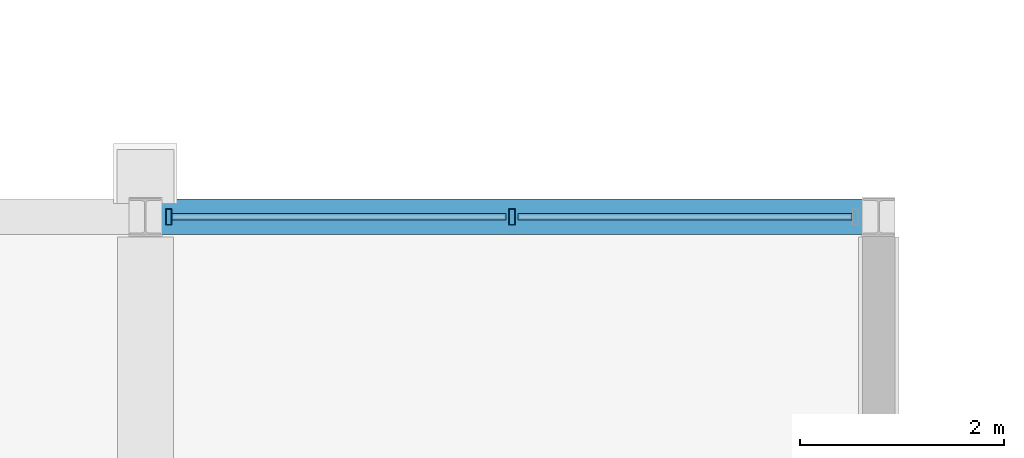
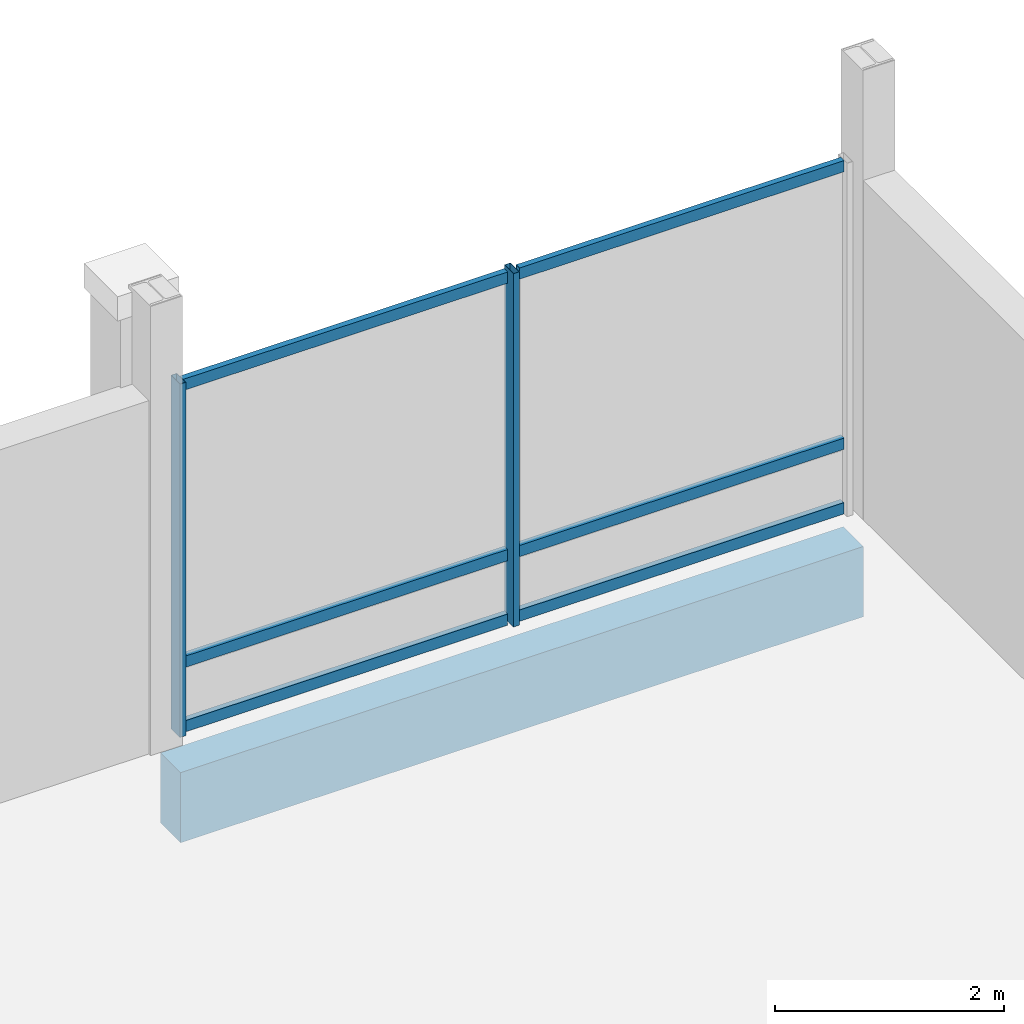
# One storey, part 37 of 193: 8 members, 1 beam, 1 element without a shape of its own.
"""IFC4 building model written with IfcOpenShell, lengths in metres."""

import ifcopenshell
import ifcopenshell.guid

model = None  # the IFC model being written
_history = None  # IfcOwnerHistory: only IFC2X3 demands one
_inside = {}  # id of a spatial element -> (the spatial element, [elements in it])
_under = {}  # id of a project, library or spatial element -> (it, [spatial elements below it])
_declared = {}  # id of a project -> (the project, [libraries it declares])
_typed = {}  # id of a type object -> (the type object, [elements of that type])
_made_of = {}  # id of a material, layer set ... -> (it, [elements and type objects made of it])


def new_model(schema):
    """Start an empty IFC model of exactly this schema.

    Asked for "IFC4X3", IfcOpenShell would pick the latest addendum, in which some entities
    have other attributes; the version numbers below select the first issue.
    IFC2X3 requires an IfcOwnerHistory on every rooted entity: one is made here for all.
    """
    global model, _history
    if schema == "IFC4X3":
        model = ifcopenshell.file(schema_version=(4, 3, 0, 0))
    else:
        model = ifcopenshell.file(schema=schema)
    _inside.clear()
    _under.clear()
    _declared.clear()
    _typed.clear()
    _made_of.clear()
    _history = None
    if model.schema == "IFC2X3":
        org = make("IfcOrganization", Name="unknown")
        user = make(
            "IfcPersonAndOrganization",
            ThePerson=make("IfcPerson", FamilyName="unknown"),
            TheOrganization=org,
        )
        app = make(
            "IfcApplication",
            ApplicationDeveloper=org,
            Version="unknown",
            ApplicationFullName="unknown",
            ApplicationIdentifier="unknown",
        )
        _history = make(
            "IfcOwnerHistory",
            OwningUser=user,
            OwningApplication=app,
            ChangeAction="ADDED",
            CreationDate=0,
        )
    return model


def make(cls, **values):
    """One entity of the class cls with the attributes given. An attribute that is None is left unset."""
    return model.create_entity(
        cls, **{name: value for name, value in values.items() if value is not None}
    )


def rooted(cls, **values):
    """An entity with a GlobalId (a new one), such as an element, a storey or a relation."""
    return make(cls, GlobalId=ifcopenshell.guid.new(), OwnerHistory=_history, **values)


def si_unit(unit_type, name, prefix=None):
    """IfcSIUnit, for example si_unit("LENGTHUNIT", "METRE", prefix="MILLI")."""
    return make("IfcSIUnit", UnitType=unit_type, Prefix=prefix, Name=name)


def assignment(units):
    """IfcUnitAssignment: the units of a project."""
    return None if units is None else make("IfcUnitAssignment", Units=units)


def point(xyz):
    """IfcCartesianPoint."""
    return None if xyz is None else make("IfcCartesianPoint", Coordinates=xyz)


def direction(xyz):
    """IfcDirection."""
    return None if xyz is None else make("IfcDirection", DirectionRatios=xyz)


def frame(location, z_axis=None, x_axis=None):
    """IfcAxis2Placement3D, a coordinate frame: its origin and axes. An axis left out is left unset."""
    return make(
        "IfcAxis2Placement3D",
        Location=point(location),
        Axis=direction(z_axis),
        RefDirection=direction(x_axis),
    )


def frame_2d(location, x_axis=None):
    """IfcAxis2Placement2D, a coordinate frame in the plane: its origin and x axis."""
    return make(
        "IfcAxis2Placement2D", Location=point(location), RefDirection=direction(x_axis)
    )


def origin():
    """The frame at (0, 0, 0) with its axes left unset."""
    return frame((0.0, 0.0, 0.0))


def origin_2d():
    """The frame at (0, 0) in the plane with its x axis left unset."""
    return frame_2d((0.0, 0.0))


def place(relative_to, where):
    """IfcLocalPlacement: puts the frame where relative to a parent placement (None: the world)."""
    return make(
        "IfcLocalPlacement", PlacementRelTo=relative_to, RelativePlacement=where
    )


def context(
    kind, dimensions, precision=None, world=None, true_north=None, identifier=None
):
    """IfcGeometricRepresentationContext, for example the 3D "Model" context."""
    return make(
        "IfcGeometricRepresentationContext",
        ContextIdentifier=identifier,
        ContextType=kind,
        CoordinateSpaceDimension=dimensions,
        Precision=precision,
        WorldCoordinateSystem=world,
        TrueNorth=true_north,
    )


def subcontext(parent, identifier, kind, view, scale=None):
    """IfcGeometricRepresentationSubContext, for example "Body" below "Model"."""
    return make(
        "IfcGeometricRepresentationSubContext",
        ContextIdentifier=identifier,
        ContextType=kind,
        ParentContext=parent,
        TargetScale=scale,
        TargetView=view,
    )


def project(units=None, contexts=None):
    """IfcProject with its units and contexts."""
    return rooted(
        "IfcProject",
        Name="project",
        RepresentationContexts=contexts,
        UnitsInContext=assignment(units),
    )


def spatial(cls, under=None, at=None, **own):
    """A site, building, storey or space (cls), placed at a placement, below another one or the project."""
    s = rooted(cls, ObjectPlacement=at, **own)
    if under is not None:
        _under.setdefault(under.id(), (under, []))[1].append(s)
    return s


def profile(cls, at=None, kind="AREA", **sizes):
    """A parametric profile (cls). Its sizes go by their IFC names, for example OverallWidth=200.0."""
    return make(cls, ProfileType=kind, Position=at, **sizes)


def rectangle(**sizes):
    """IfcRectangleProfileDef."""
    return profile("IfcRectangleProfileDef", **sizes)


def hollow_rectangle(**sizes):
    """IfcRectangleHollowProfileDef."""
    return profile("IfcRectangleHollowProfileDef", **sizes)


def extrude(swept, where, along, depth):
    """IfcExtrudedAreaSolid: the profile swept, set in the frame where, extruded along a direction by depth."""
    return make(
        "IfcExtrudedAreaSolid",
        SweptArea=swept,
        Position=where,
        ExtrudedDirection=direction(along),
        Depth=depth,
    )


def shape(context_of_items, identifier, shape_type, items):
    """IfcShapeRepresentation: the items that make up one representation, for example the "Body"."""
    return make(
        "IfcShapeRepresentation",
        ContextOfItems=context_of_items,
        RepresentationIdentifier=identifier,
        RepresentationType=shape_type,
        Items=items,
    )


def material(Name=None, Category=None):
    """IfcMaterial."""
    return make("IfcMaterial", Name=Name, Category=Category)


def material_profile(
    of_material, cross_section, Name=None, Category=None, Priority=None
):
    """IfcMaterialProfile: a cross section and its material."""
    return make(
        "IfcMaterialProfile",
        Name=Name,
        Material=of_material,
        Profile=cross_section,
        Priority=Priority,
        Category=Category,
    )


def profile_set(profiles, Name=None, composite=None):
    """IfcMaterialProfileSet."""
    return make(
        "IfcMaterialProfileSet",
        Name=Name,
        MaterialProfiles=profiles,
        CompositeProfile=composite,
    )


def made_of(thing, what):
    """Note that an element or type object is made of a material, layer set ...; save() writes the relation."""
    if what is not None:
        _made_of.setdefault(what.id(), (what, []))[1].append(thing)
    return thing


def type_object(cls, material=None, **own):
    """A type object (cls), such as IfcWallType, which elements share."""
    return made_of(rooted(cls, **own), material)


def element(
    cls,
    number,
    at=None,
    inside=None,
    cuts=None,
    type_object=None,
    material=None,
    context=None,
    identifier="Body",
    shape_type=None,
    held_by="IfcProductDefinitionShape",
    body=None,
    shapes=None,
    **own,
):
    """One element of the class cls, such as IfcWall. Its Tag is "e" and its number.

    at: its placement. inside: the storey or other place that contains it. cuts: it is an
    opening in that element (IfcRelVoidsElement). A single representation is given by context,
    identifier, shape_type and body (its items); several are given by shapes. held_by: the class
    of the entity that holds the representations. save() writes the other relations.
    """
    e = rooted(cls, Tag="e%d" % number, ObjectPlacement=at, **own)
    if body is not None:
        shapes = [shape(context, identifier, shape_type, body)]
    if shapes is not None:
        e.Representation = make(held_by, Representations=shapes)
    if inside is not None:
        _inside.setdefault(inside.id(), (inside, []))[1].append(e)
    if cuts is not None:
        rooted(
            "IfcRelVoidsElement", RelatingBuildingElement=cuts, RelatedOpeningElement=e
        )
    if type_object is not None:
        _typed.setdefault(type_object.id(), (type_object, []))[1].append(e)
    return made_of(e, material)


def aggregate(whole, parts):
    """IfcRelAggregates: a whole, such as a stair, and the parts it consists of."""
    return rooted("IfcRelAggregates", RelatingObject=whole, RelatedObjects=parts)


def save(model, path):
    """Write the relations noted so far, then the file.

    IfcRelAggregates (storeys below a building ...), IfcRelContainedInSpatialStructure (elements
    in a storey), IfcRelDefinesByType, IfcRelAssociatesMaterial and IfcRelDeclares: one each for
    every whole, place, type object, material and project.
    """
    for whole, parts in _under.values():
        aggregate(whole, parts)
    for where, things in _inside.values():
        rooted(
            "IfcRelContainedInSpatialStructure",
            RelatedElements=things,
            RelatingStructure=where,
        )
    for kind, things in _typed.values():
        rooted("IfcRelDefinesByType", RelatedObjects=things, RelatingType=kind)
    for what, things in _made_of.values():
        rooted("IfcRelAssociatesMaterial", RelatedObjects=things, RelatingMaterial=what)
    for by, libraries in _declared.values():
        rooted("IfcRelDeclares", RelatingContext=by, RelatedDefinitions=libraries)
    model.write(path)


model = new_model("IFC4")

# Units and contexts
model_context = context("Model", 3, precision=1e-05, world=origin(), true_north=direction((0.0, 1.0)))
body_context = subcontext(model_context, "Body", "Model", "MODEL_VIEW")
ifc_project = project(units=[si_unit("LENGTHUNIT", "METRE"), si_unit("AREAUNIT", "SQUARE_METRE"), si_unit("VOLUMEUNIT", "CUBIC_METRE"), si_unit("PLANEANGLEUNIT", "RADIAN"), si_unit("MASSUNIT", "GRAM", prefix="KILO")], contexts=[model_context])

# Site, building, storey
site_placement = place(None, origin())
site = spatial("IfcSite", under=ifc_project, at=site_placement, CompositionType="ELEMENT")
building_placement = place(site_placement, origin())
building = spatial("IfcBuilding", under=site, at=building_placement, Name="Cendralis Lancet Convention Centre", CompositionType="ELEMENT")
storey_placement = place(building_placement, frame((0.0, 0.0, 10.199951171875)))
storey = spatial("IfcBuildingStorey", under=building, at=storey_placement, Name="L02", CompositionType="ELEMENT", Elevation=10.199951171875)

# Curtain wall, members
ifc_material_1 = material(Name="Anodised bronze architectural aluminium", Category="aluminium")
curtain_wall_type = type_object("IfcCurtainWallType", Name="ARC-CW-CL02", PredefinedType="USERDEFINED", material=ifc_material_1)
curtain_wall_placement = place(storey_placement, origin())
curtain_wall = element("IfcCurtainWall", 1, at=curtain_wall_placement, inside=storey, type_object=curtain_wall_type, Name="L02 Curtain Wall CW-CL2 #174", ObjectType="CURTAIN WALL", PredefinedType="USERDEFINED")
ifc_material_profile_1 = material_profile(ifc_material_1, hollow_rectangle(XDim=0.06005859375, YDim=0.159912109375, WallThickness=0.00390625, at=origin_2d()), Name="AL-MULL 60x160x4.0")
ifc_profile_set_1 = profile_set([ifc_material_profile_1], Name="Anodised bronze architectural aluminium")
member_type_1 = type_object("IfcMemberType", Name="ARC-CW-ML01", PredefinedType="MULLION", material=ifc_profile_set_1)
member_1_placement = place(storey_placement, frame((122.6298828125, 36.0, 0.0), z_axis=(0.0, 0.0, 1.0), x_axis=(1.0, 0.0, 0.0)))
member_1 = element("IfcMember", 2, at=member_1_placement, type_object=member_type_1, Name="Mullion CW2-CW-CL2-L02-174-M0", PredefinedType="MULLION", context=body_context, shape_type="SweptSolid", body=[
    extrude(hollow_rectangle(XDim=0.06005859375, YDim=0.159912109375, WallThickness=0.00390625, at=origin_2d()), origin(), (0.0, 0.0, 1.0), 3.775146484375),
])
member_2_placement = place(storey_placement, frame((126.0, 36.0, 0.0), z_axis=(0.0, 0.0, 1.0), x_axis=(1.0, 0.0, 0.0)))
member_2 = element("IfcMember", 3, at=member_2_placement, type_object=member_type_1, Name="Mullion CW2-CW-CL2-L02-174-M1", PredefinedType="MULLION", context=body_context, shape_type="SweptSolid", body=[
    extrude(hollow_rectangle(XDim=0.06005859375, YDim=0.159912109375, WallThickness=0.00390625, at=origin_2d()), origin(), (0.0, 0.0, 1.0), 3.775146484375),
])
ifc_material_profile_2 = material_profile(ifc_material_1, hollow_rectangle(XDim=0.06005859375, YDim=0.1201171875, WallThickness=0.00390625, at=origin_2d()), Name="AL-TRAN 60x120x4.0")
ifc_profile_set_2 = profile_set([ifc_material_profile_2], Name="Anodised bronze architectural aluminium")
member_type_2 = type_object("IfcMemberType", Name="ARC-CW-TR01", PredefinedType="USERDEFINED", material=ifc_profile_set_2)
member_3_placement = place(storey_placement, frame((122.659912109375, 36.0, 0.06005859375), z_axis=(1.0, 0.0, 0.0), x_axis=(0.0, 1.0, 0.0)))
member_3 = element("IfcMember", 4, at=member_3_placement, type_object=member_type_2, Name="Transom CW2-CW-CL2-L02-174-T0BOT", ObjectType="TRANSOM", PredefinedType="USERDEFINED", context=body_context, shape_type="SweptSolid", body=[
    extrude(hollow_rectangle(XDim=0.06005859375, YDim=0.1201171875, WallThickness=0.00390625, at=origin_2d()), origin(), (0.0, 0.0, 1.0), 3.280029296875),
])
member_4_placement = place(storey_placement, frame((122.659912109375, 36.0, 0.75), z_axis=(1.0, 0.0, 0.0), x_axis=(0.0, 1.0, 0.0)))
member_4 = element("IfcMember", 5, at=member_4_placement, type_object=member_type_2, Name="Transom CW2-CW-CL2-L02-174-T0MID", ObjectType="TRANSOM", PredefinedType="USERDEFINED", context=body_context, shape_type="SweptSolid", body=[
    extrude(hollow_rectangle(XDim=0.06005859375, YDim=0.1201171875, WallThickness=0.00390625, at=origin_2d()), origin(), (0.0, 0.0, 1.0), 3.280029296875),
])
member_5_placement = place(storey_placement, frame((122.659912109375, 36.0, 3.715087890625), z_axis=(1.0, 0.0, 0.0), x_axis=(0.0, 1.0, 0.0)))
member_5 = element("IfcMember", 6, at=member_5_placement, type_object=member_type_2, Name="Transom CW2-CW-CL2-L02-174-T0TOP", ObjectType="TRANSOM", PredefinedType="USERDEFINED", context=body_context, shape_type="SweptSolid", body=[
    extrude(hollow_rectangle(XDim=0.06005859375, YDim=0.1201171875, WallThickness=0.00390625, at=origin_2d()), origin(), (0.0, 0.0, 1.0), 3.280029296875),
])
member_6_placement = place(storey_placement, frame((126.06005859375, 36.0, 0.06005859375), z_axis=(1.0, 0.0, 0.0), x_axis=(0.0, 1.0, 0.0)))
member_6 = element("IfcMember", 7, at=member_6_placement, type_object=member_type_2, Name="Transom CW2-CW-CL2-L02-174-T1BOT", ObjectType="TRANSOM", PredefinedType="USERDEFINED", context=body_context, shape_type="SweptSolid", body=[
    extrude(hollow_rectangle(XDim=0.06005859375, YDim=0.1201171875, WallThickness=0.00390625, at=origin_2d()), origin(), (0.0, 0.0, 1.0), 3.280029296875),
])
member_7_placement = place(storey_placement, frame((126.06005859375, 36.0, 0.75), z_axis=(1.0, 0.0, 0.0), x_axis=(0.0, 1.0, 0.0)))
member_7 = element("IfcMember", 8, at=member_7_placement, type_object=member_type_2, Name="Transom CW2-CW-CL2-L02-174-T1MID", ObjectType="TRANSOM", PredefinedType="USERDEFINED", context=body_context, shape_type="SweptSolid", body=[
    extrude(hollow_rectangle(XDim=0.06005859375, YDim=0.1201171875, WallThickness=0.00390625, at=origin_2d()), origin(), (0.0, 0.0, 1.0), 3.280029296875),
])
member_8_placement = place(storey_placement, frame((126.06005859375, 36.0, 3.715087890625), z_axis=(1.0, 0.0, 0.0), x_axis=(0.0, 1.0, 0.0)))
member_8 = element("IfcMember", 9, at=member_8_placement, type_object=member_type_2, Name="Transom CW2-CW-CL2-L02-174-T1TOP", ObjectType="TRANSOM", PredefinedType="USERDEFINED", context=body_context, shape_type="SweptSolid", body=[
    extrude(hollow_rectangle(XDim=0.06005859375, YDim=0.1201171875, WallThickness=0.00390625, at=origin_2d()), origin(), (0.0, 0.0, 1.0), 3.280029296875),
])
aggregate(curtain_wall, [member_1, member_2, member_3, member_4, member_5, member_6, member_7, member_8])

# Beam
ifc_material_2 = material(Name="Concrete G40 (C40/50)", Category="concrete")
ifc_material_profile_3 = material_profile(ifc_material_2, rectangle(XDim=0.35009765625, YDim=0.75, at=origin_2d()), Name="RCB 350x750")
ifc_profile_set_3 = profile_set([ifc_material_profile_3], Name="Concrete G40 (C40/50)")
beam_type = type_object("IfcBeamType", Name="STR-SP-SP01", PredefinedType="SPANDREL", material=ifc_profile_set_3)
beam_placement = place(storey_placement, frame((122.550048828125, 36.0, -0.675048828125), z_axis=(1.0, 0.0, 0.0), x_axis=(0.0, 1.0, 0.0)))
element("IfcBeam", 10, at=beam_placement, inside=storey, type_object=beam_type, Name="L02 Beam SP01 #0851", PredefinedType="SPANDREL", context=body_context, shape_type="SweptSolid", body=[
    extrude(rectangle(XDim=0.35009765625, YDim=0.75, at=origin_2d()), origin(), (0.0, 0.0, 1.0), 6.89990234375),
])

save(model, "model.ifc")
